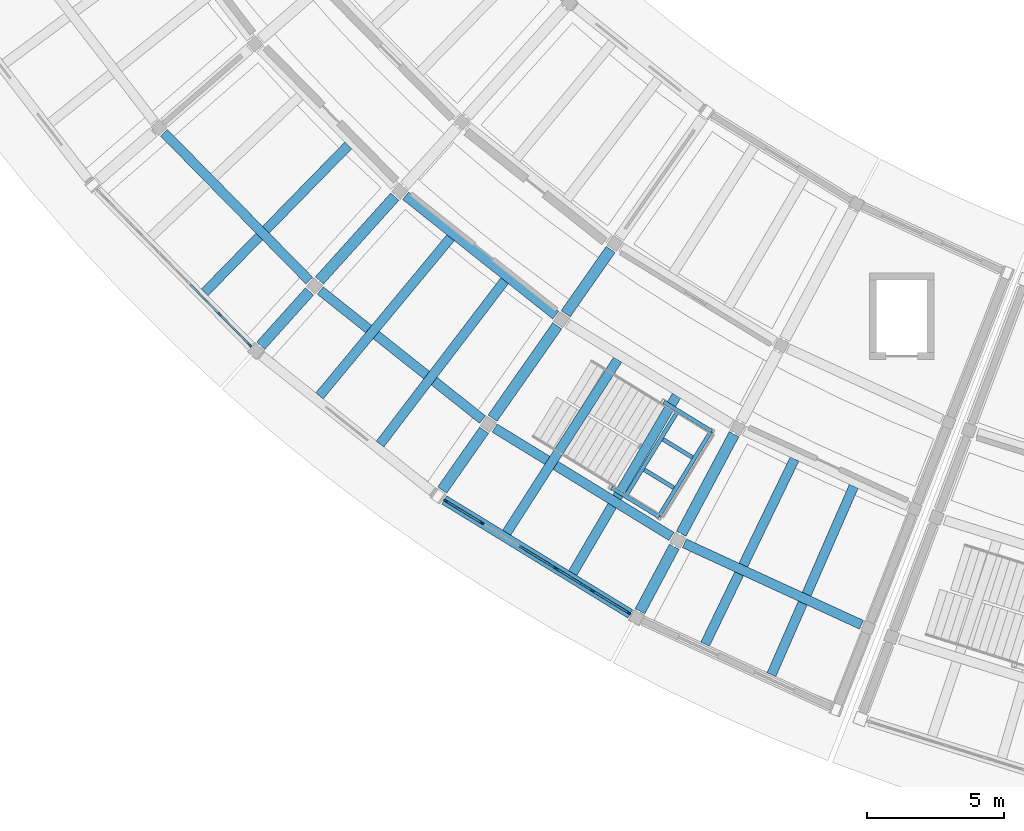
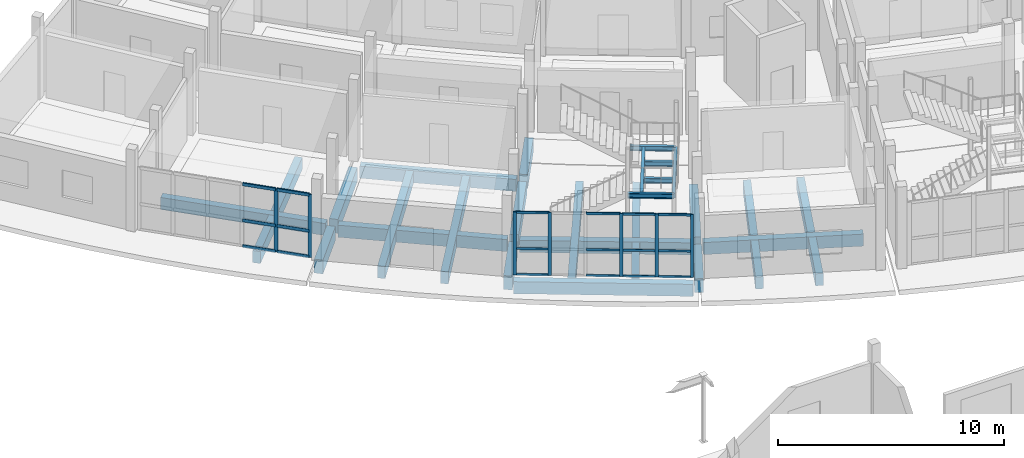
# One storey, part 27 of 92: 26 beams, 25 members, 2 elements without a shape of their own.
"""IFC4 building model written with IfcOpenShell, lengths in metres."""

from ifc_helpers import new_model, si_unit, direction, frame, origin, origin_2d, place, context, subcontext, project, spatial, rectangle, i_section, extrude, material, layer, layer_set, material_profile, profile_set, type_object, element, aggregate, save


model = new_model("IFC4")

# Units and contexts
model_context = context("Model", 3, precision=1e-05, world=origin(), true_north=direction((0.0, 1.0)))
body_context = subcontext(model_context, "Body", "Model", "MODEL_VIEW")
ifc_project = project(units=[si_unit("LENGTHUNIT", "METRE"), si_unit("AREAUNIT", "SQUARE_METRE"), si_unit("VOLUMEUNIT", "CUBIC_METRE"), si_unit("PLANEANGLEUNIT", "RADIAN"), si_unit("MASSUNIT", "GRAM", prefix="KILO")], contexts=[model_context])

# Site, building, storey
site_placement = place(None, origin())
site = spatial("IfcSite", under=ifc_project, at=site_placement, CompositionType="ELEMENT")
building_placement = place(site_placement, origin())
building = spatial("IfcBuilding", under=site, at=building_placement, Name="Caldaven Crescent School", CompositionType="ELEMENT")
storey_placement = place(building_placement, origin())
storey = spatial("IfcBuildingStorey", under=building, at=storey_placement, Name="L00", CompositionType="ELEMENT", Elevation=0.0)

# Beams
ifc_material_1 = material(Name="Concrete C30/37", Category="concrete")
ifc_material_profile_1 = material_profile(ifc_material_1, rectangle(XDim=0.35009765625, YDim=0.64990234375, at=origin_2d()), Name="RC 350x650")
ifc_profile_set_1 = profile_set([ifc_material_profile_1], Name="Concrete C30/37")
beam_type_1 = type_object("IfcBeamType", Name="BM-RC35", PredefinedType="BEAM", material=ifc_profile_set_1)
beam_1_placement = place(storey_placement, frame((38.1142578125, 52.27783203125, -0.5849609375), z_axis=(0.700912552163, -0.713247218166, 0.0), x_axis=(0.713247218166, 0.700912552163, 0.0)))
element("IfcBeam", 1, at=beam_1_placement, inside=storey, type_object=beam_type_1, Name="BMT-V4W-L00-0755", PredefinedType="BEAM", context=body_context, shape_type="SweptSolid", body=[
    extrude(rectangle(XDim=0.35009765625, YDim=0.64990234375, at=origin_2d()), origin(), (0.0, 0.0, 1.0), 7.56103515625),
])
beam_2_placement = place(storey_placement, frame((44.835693359375, 51.8173828125, -0.5849609375), z_axis=(-0.698819747585, -0.715297812373, 0.0), x_axis=(0.715297812373, -0.698819747585, 0.0)))
element("IfcBeam", 2, at=beam_2_placement, inside=storey, type_object=beam_type_1, Name="JSR-V4W-L00-0760", PredefinedType="BEAM", context=body_context, shape_type="SweptSolid", body=[
    extrude(rectangle(XDim=0.35009765625, YDim=0.64990234375, at=origin_2d()), origin(), (0.0, 0.0, 1.0), 7.496826171875),
])
beam_3_placement = place(storey_placement, frame((46.926025390625, 49.97998046875, -0.5849609375), z_axis=(0.782596029023, -0.622529883104, 0.0), x_axis=(0.622529883104, 0.782596029023, 0.0)))
element("IfcBeam", 3, at=beam_3_placement, inside=storey, type_object=beam_type_1, Name="BMT-V4W-L00-0763", PredefinedType="BEAM", context=body_context, shape_type="SweptSolid", body=[
    extrude(rectangle(XDim=0.35009765625, YDim=0.64990234375, at=origin_2d()), origin(), (0.0, 0.0, 1.0), 6.9931640625),
])
beam_4_placement = place(storey_placement, frame((43.814453125, 46.524169921875, -0.5849609375), z_axis=(0.782620359771, -0.622499295158, 0.0), x_axis=(0.622499295158, 0.782620359771, 0.0)))
element("IfcBeam", 4, at=beam_4_placement, inside=storey, type_object=beam_type_1, Name="BMT-V4W-L00-0764", PredefinedType="BEAM", context=body_context, shape_type="SweptSolid", body=[
    extrude(rectangle(XDim=0.35009765625, YDim=0.64990234375, at=origin_2d()), origin(), (0.0, 0.0, 1.0), 7.56103515625),
])
beam_5_placement = place(storey_placement, frame((48.5712890625, 48.453857421875, -0.5849609375), z_axis=(-0.638347164684, -0.769748593594, 0.0), x_axis=(0.769748593594, -0.638347164684, 0.0)))
element("IfcBeam", 5, at=beam_5_placement, inside=storey, type_object=beam_type_1, Name="JSR-V4W-L00-0767", PredefinedType="BEAM", context=body_context, shape_type="SweptSolid", body=[
    extrude(rectangle(XDim=0.35009765625, YDim=0.64990234375, at=origin_2d()), origin(), (0.0, 0.0, 1.0), 7.496826171875),
])
beam_6_placement = place(storey_placement, frame((50.5419921875, 46.886474609375, -0.5849609375), z_axis=(-0.606425795799, -0.795140084633, 0.0), x_axis=(0.795140084633, -0.606425795799, 0.0)))
element("IfcBeam", 6, at=beam_6_placement, inside=storey, type_object=beam_type_1, Name="JSR-V4W-L00-0769", PredefinedType="BEAM", context=body_context, shape_type="SweptSolid", body=[
    extrude(rectangle(XDim=0.35009765625, YDim=0.64990234375, at=origin_2d()), origin(), (0.0, 0.0, 1.0), 7.4970703125),
])
beam_7_placement = place(storey_placement, frame((50.17333984375, 41.50830078125, -0.5849609375), z_axis=(0.852643478739, -0.522493156093, 0.0), x_axis=(0.522493156093, 0.852643478739, 0.0)))
element("IfcBeam", 7, at=beam_7_placement, inside=storey, type_object=beam_type_1, Name="BMT-V4W-L00-0773", PredefinedType="BEAM", context=body_context, shape_type="SweptSolid", body=[
    extrude(rectangle(XDim=0.35009765625, YDim=0.64990234375, at=origin_2d()), origin(), (0.0, 0.0, 1.0), 7.561279296875),
])
for number, where, z_axis, x_axis, name in (
    (8, (54.65966796875, 44.003173828125, -0.5849609375), (-0.539769679184, -0.841812742499, 0.0), (0.841812742499, -0.539769679184, 0.0), "JSR-V4W-L00-0776"),
    (9, (56.806640625, 42.6875, -0.5849609375), (-0.505020652466, -0.863107259025, 0.0), (0.863107259025, -0.505020652466, 0.0), "JSR-V4W-L00-0778"),
):
    element("IfcBeam", number, at=place(storey_placement, frame(where, z_axis=z_axis, x_axis=x_axis)), inside=storey, type_object=beam_type_1, Name=name, PredefinedType="BEAM", context=body_context, shape_type="SweptSolid", body=[
        extrude(rectangle(XDim=0.35009765625, YDim=0.64990234375, at=origin_2d()), origin(), (0.0, 0.0, 1.0), 7.4970703125),
    ])
beam_8_placement = place(storey_placement, frame((57.095947265625, 37.3037109375, -0.5849609375), z_axis=(0.908521760174, -0.417837541744, 0.0), x_axis=(0.417837541744, 0.908521760174, 0.0)))
element("IfcBeam", 10, at=beam_8_placement, inside=storey, type_object=beam_type_1, Name="BMT-V4W-L00-0782", PredefinedType="BEAM", context=body_context, shape_type="SweptSolid", body=[
    extrude(rectangle(XDim=0.35009765625, YDim=0.64990234375, at=origin_2d()), origin(), (0.0, 0.0, 1.0), 7.10498046875),
])
for number, where, z_axis, x_axis, name in (
    (11, (61.112548828125, 40.37890625, -0.5849609375), (-0.43521792748, -0.900325138825, 0.0), (0.900325138825, -0.43521792748, 0.0), "JSR-V4W-L00-0784"),
    (12, (63.271484375, 39.385986328125, -0.5849609375), (-0.400260221892, -0.916401524863, 0.0), (0.916401524863, -0.400260221892, 0.0), "JSR-V4W-L00-0785"),
):
    element("IfcBeam", number, at=place(storey_placement, frame(where, z_axis=z_axis, x_axis=x_axis)), inside=storey, type_object=beam_type_1, Name=name, PredefinedType="BEAM", context=body_context, shape_type="SweptSolid", body=[
        extrude(rectangle(XDim=0.35009765625, YDim=0.64990234375, at=origin_2d()), origin(), (0.0, 0.0, 1.0), 7.498291015625),
    ])
ifc_material_2 = material(Name="Concrete C35/45", Category="concrete")
ifc_material_profile_2 = material_profile(ifc_material_2, rectangle(XDim=0.39990234375, YDim=0.75, at=origin_2d()), Name="RC 400x750")
ifc_profile_set_2 = profile_set([ifc_material_profile_2], Name="Concrete C35/45")
beam_type_2 = type_object("IfcBeamType", Name="BM-RC40", PredefinedType="BEAM", material=ifc_profile_set_2)
beam_9_placement = place(storey_placement, frame((46.533935546875, 49.947265625, -0.635009765625), z_axis=(-0.669128815296, -0.743146438153, 0.0), x_axis=(0.743146438153, -0.669128815296, 0.0)))
element("IfcBeam", 13, at=beam_9_placement, inside=storey, type_object=beam_type_2, Name="BMR-V4W-L00-0729", PredefinedType="BEAM", context=body_context, shape_type="SweptSolid", body=[
    extrude(rectangle(XDim=0.39990234375, YDim=0.75, at=origin_2d()), origin(), (0.0, 0.0, 1.0), 4.10986328125),
])
beam_10_placement = place(storey_placement, frame((43.422607421875, 46.49169921875, -0.635009765625), z_axis=(-0.669152322498, -0.743125271604, 0.0), x_axis=(0.743125271604, -0.669152322498, 0.0)))
element("IfcBeam", 14, at=beam_10_placement, inside=storey, type_object=beam_type_2, Name="BMR-V4W-L00-0730", PredefinedType="BEAM", context=body_context, shape_type="SweptSolid", body=[
    extrude(rectangle(XDim=0.39990234375, YDim=0.75, at=origin_2d()), origin(), (0.0, 0.0, 1.0), 2.66015625),
])
beam_11_placement = place(storey_placement, frame((54.405517578125, 48.022216796875, -0.635009765625), z_axis=(-0.573565464969, -0.819159726424, 0.0), x_axis=(0.819159726424, -0.573565464969, 0.0)))
element("IfcBeam", 15, at=beam_11_placement, inside=storey, type_object=beam_type_2, Name="BMR-V4W-L00-0732", PredefinedType="BEAM", context=body_context, shape_type="SweptSolid", body=[
    extrude(rectangle(XDim=0.39990234375, YDim=0.75, at=origin_2d()), origin(), (0.0, 0.0, 1.0), 2.85986328125),
])
beam_12_placement = place(storey_placement, frame((52.45556640625, 45.237060546875, -0.635009765625), z_axis=(-0.573581938808, -0.8191481914, 0.0), x_axis=(0.8191481914, -0.573581938808, 0.0)))
element("IfcBeam", 16, at=beam_12_placement, inside=storey, type_object=beam_type_2, Name="BMR-V4W-L00-0733", PredefinedType="BEAM", context=body_context, shape_type="SweptSolid", body=[
    extrude(rectangle(XDim=0.39990234375, YDim=0.75, at=origin_2d()), origin(), (0.0, 0.0, 1.0), 4.110107421875),
])
beam_13_placement = place(storey_placement, frame((49.788330078125, 41.427978515625, -0.635009765625), z_axis=(-0.573597865884, -0.81913703875, 0.0), x_axis=(0.81913703875, -0.573597865884, 0.0)))
element("IfcBeam", 17, at=beam_13_placement, inside=storey, type_object=beam_type_2, Name="BMR-V4W-L00-0734", PredefinedType="BEAM", context=body_context, shape_type="SweptSolid", body=[
    extrude(rectangle(XDim=0.39990234375, YDim=0.75, at=origin_2d()), origin(), (0.0, 0.0, 1.0), 2.65966796875),
])
beam_14_placement = place(storey_placement, frame((58.90673828125, 41.28369140625, -0.635009765625), z_axis=(-0.469456327147, -0.882955693623, 0.0), x_axis=(0.882955693623, -0.469456327147, 0.0)))
element("IfcBeam", 18, at=beam_14_placement, inside=storey, type_object=beam_type_2, Name="BMR-V4W-L00-0737", PredefinedType="BEAM", context=body_context, shape_type="SweptSolid", body=[
    extrude(rectangle(XDim=0.39990234375, YDim=0.75, at=origin_2d()), origin(), (0.0, 0.0, 1.0), 4.10986328125),
])
beam_15_placement = place(storey_placement, frame((56.723876953125, 37.177978515625, -0.635009765625), z_axis=(-0.469468362012, -0.882949294733, 0.0), x_axis=(0.882949294733, -0.469468362012, 0.0)))
element("IfcBeam", 19, at=beam_15_placement, inside=storey, type_object=beam_type_2, Name="BMR-V4W-L00-0738", PredefinedType="BEAM", context=body_context, shape_type="SweptSolid", body=[
    extrude(rectangle(XDim=0.39990234375, YDim=0.75, at=origin_2d()), origin(), (0.0, 0.0, 1.0), 2.659912109375),
])
ifc_material_3 = material(Name="Steel ASTM A572 Grade 50", Category="steel")
ifc_material_profile_3 = material_profile(ifc_material_3, i_section(OverallWidth=0.14599609375, OverallDepth=0.258056640625, WebThickness=0.006103515625, FlangeThickness=0.009033203125, FilletRadius=0.011962890625, at=origin_2d()), Name="W250x33")
ifc_profile_set_3 = profile_set([ifc_material_profile_3], Name="Steel ASTM A572 Grade 50")
beam_type_3 = type_object("IfcBeamType", Name="BM-W25", PredefinedType="BEAM", material=ifc_profile_set_3)
for number, where, z_axis, x_axis, name in (
    (20, (54.428955078125, 39.341552734375, 1.885986328125), (0.85267484111, -0.522441973177, 0.0), (0.522441973177, 0.85267484111, 0.0), "BM-STSIDE-ST1-L00-SL"),
    (21, (56.34130859375, 42.462158203125, 1.885986328125), (0.85267484111, -0.522441973177, 0.0), (0.522441973177, 0.85267484111, 0.0), "BM-STSIDE-ST1-L00-SR"),
):
    element("IfcBeam", number, at=place(storey_placement, frame(where, z_axis=z_axis, x_axis=x_axis)), inside=storey, type_object=beam_type_3, Name=name, PredefinedType="BEAM", context=body_context, shape_type="SweptSolid", body=[
        extrude(i_section(OverallWidth=0.14599609375, OverallDepth=0.258056640625, WebThickness=0.006103515625, FlangeThickness=0.009033203125, FilletRadius=0.011962890625, at=origin_2d()), origin(), (0.0, 0.0, 1.0), 2.050048828125),
    ])
for number, where, z_axis, x_axis, name in (
    (22, (54.94921875, 39.02294921875, 1.885986328125), (0.522507309575, 0.852634805436, 0.0), (-0.852634805436, 0.522507309575, 0.0), "BM-STLND-ST1-L00-IN"),
    (23, (56.159912109375, 38.281005859375, 1.885986328125), (0.522507309575, 0.852634805436, 0.0), (-0.852634805436, 0.522507309575, 0.0), "BM-STLND-ST1-L00-OUT"),
):
    element("IfcBeam", number, at=place(storey_placement, frame(where, z_axis=z_axis, x_axis=x_axis)), inside=storey, type_object=beam_type_3, Name=name, PredefinedType="BEAM", context=body_context, shape_type="SweptSolid", body=[
        extrude(i_section(OverallWidth=0.14599609375, OverallDepth=0.258056640625, WebThickness=0.006103515625, FlangeThickness=0.009033203125, FilletRadius=0.011962890625, at=origin_2d()), origin(), (0.0, 0.0, 1.0), 3.659912109375),
    ])

# Curtain wall, members
ifc_material_4 = material(Name="Anodised aluminium AA 6063-T6 and low-E double glazing", Category="aluminium")
ifc_layer_1 = layer(ifc_material_4, 0.2099609375)
ifc_layer_set_1 = layer_set([ifc_layer_1], Name="Anodised aluminium AA 6063-T6 and low-E double glazing")
curtain_wall_type_1 = type_object("IfcCurtainWallType", Name="CW-SYS3", PredefinedType="NOTDEFINED", material=ifc_layer_set_1)
curtain_wall_1_placement = place(storey_placement, origin())
curtain_wall_1 = element("IfcCurtainWall", 24, at=curtain_wall_1_placement, inside=storey, type_object=curtain_wall_type_1, Name="CW-L00-106", PredefinedType="NOTDEFINED")
ifc_material_5 = material(Name="Anodised aluminium AA 6063-T6", Category="aluminium")
ifc_material_profile_4 = material_profile(ifc_material_5, rectangle(XDim=0.06005859375, YDim=0.14990234375, at=origin_2d()), Name="CWM 60x150")
ifc_profile_set_4 = profile_set([ifc_material_profile_4], Name="Anodised aluminium AA 6063-T6")
member_type_1 = type_object("IfcMemberType", Name="CWM-T1", PredefinedType="MULLION", material=ifc_profile_set_4)
member_1_placement = place(storey_placement, frame((48.38916015625, 38.85546875, 0.0), z_axis=(0.0, 0.0, 1.0), x_axis=(0.522499361435, 0.852639676124, 0.0)))
member_1 = element("IfcMember", 25, at=member_1_placement, type_object=member_type_1, Name="CW3 mullion 1", PredefinedType="MULLION", context=body_context, shape_type="SweptSolid", body=[
    extrude(rectangle(XDim=0.06005859375, YDim=0.14990234375, at=origin_2d()), origin(), (0.0, 0.0, 1.0), 3.39990234375),
])
member_2_placement = place(storey_placement, frame((49.709228515625, 38.046630859375, 0.0), z_axis=(0.0, 0.0, 1.0), x_axis=(0.522499361435, 0.852639676124, 0.0)))
member_2 = element("IfcMember", 26, at=member_2_placement, type_object=member_type_1, Name="CW3 mullion 2", PredefinedType="MULLION", context=body_context, shape_type="SweptSolid", body=[
    extrude(rectangle(XDim=0.06005859375, YDim=0.14990234375, at=origin_2d()), origin(), (0.0, 0.0, 1.0), 3.39990234375),
])
member_3_placement = place(storey_placement, frame((52.40087890625, 36.397216796875, 0.0), z_axis=(0.0, 0.0, 1.0), x_axis=(0.522499361435, 0.852639676124, 0.0)))
member_3 = element("IfcMember", 27, at=member_3_placement, type_object=member_type_1, Name="CW3 mullion 4", PredefinedType="MULLION", context=body_context, shape_type="SweptSolid", body=[
    extrude(rectangle(XDim=0.06005859375, YDim=0.14990234375, at=origin_2d()), origin(), (0.0, 0.0, 1.0), 3.39990234375),
])
member_4_placement = place(storey_placement, frame((53.74658203125, 35.572509765625, 0.0), z_axis=(0.0, 0.0, 1.0), x_axis=(0.522499361435, 0.852639676124, 0.0)))
member_4 = element("IfcMember", 28, at=member_4_placement, type_object=member_type_1, Name="CW3 mullion 5", PredefinedType="MULLION", context=body_context, shape_type="SweptSolid", body=[
    extrude(rectangle(XDim=0.06005859375, YDim=0.14990234375, at=origin_2d()), origin(), (0.0, 0.0, 1.0), 3.39990234375),
])
member_5_placement = place(storey_placement, frame((55.06689453125, 34.763427734375, 0.0), z_axis=(0.0, 0.0, 1.0), x_axis=(0.522499361435, 0.852639676124, 0.0)))
member_5 = element("IfcMember", 29, at=member_5_placement, type_object=member_type_1, Name="CW3 mullion 6", PredefinedType="MULLION", context=body_context, shape_type="SweptSolid", body=[
    extrude(rectangle(XDim=0.06005859375, YDim=0.14990234375, at=origin_2d()), origin(), (0.0, 0.0, 1.0), 3.39990234375),
])

ifc_layer_2 = layer(ifc_material_4, 0.169921875)
ifc_layer_set_2 = layer_set([ifc_layer_2], Name="Anodised aluminium AA 6063-T6 and low-E double glazing")
curtain_wall_type_2 = type_object("IfcCurtainWallType", Name="CW-SYS1", PredefinedType="NOTDEFINED", material=ifc_layer_set_2)
curtain_wall_2_placement = place(storey_placement, origin())
curtain_wall_2 = element("IfcCurtainWall", 30, at=curtain_wall_2_placement, inside=storey, type_object=curtain_wall_type_2, Name="CW-L00-105", PredefinedType="NOTDEFINED")
ifc_material_profile_5 = material_profile(ifc_material_5, rectangle(XDim=0.06494140625, YDim=0.179931640625, at=origin_2d()), Name="CWM 65x180")
ifc_profile_set_5 = profile_set([ifc_material_profile_5], Name="Anodised aluminium AA 6063-T6")
member_type_2 = type_object("IfcMemberType", Name="CWM-T2", PredefinedType="MULLION", material=ifc_profile_set_5)
member_6_placement = place(storey_placement, frame((40.1455078125, 45.654052734375, 0.0), z_axis=(0.0, 0.0, 1.0), x_axis=(0.713250774972, 0.700908932745, 0.0)))
member_6 = element("IfcMember", 31, at=member_6_placement, type_object=member_type_2, Name="CW1 mullion 5", PredefinedType="MULLION", context=body_context, shape_type="SweptSolid", body=[
    extrude(rectangle(XDim=0.06494140625, YDim=0.179931640625, at=origin_2d()), origin(), (0.0, 0.0, 1.0), 3.39990234375),
])
member_7_placement = place(storey_placement, frame((41.22900390625, 44.551513671875, 0.0), z_axis=(0.0, 0.0, 1.0), x_axis=(0.713250774972, 0.700908932745, 0.0)))
member_7 = element("IfcMember", 32, at=member_7_placement, type_object=member_type_2, Name="CW1 mullion 6", PredefinedType="MULLION", context=body_context, shape_type="SweptSolid", body=[
    extrude(rectangle(XDim=0.06494140625, YDim=0.179931640625, at=origin_2d()), origin(), (0.0, 0.0, 1.0), 3.39990234375),
])

# Member
ifc_material_profile_6 = material_profile(ifc_material_5, rectangle(XDim=0.06005859375, YDim=0.1201171875, at=origin_2d()), Name="CWT 60x120")
ifc_profile_set_6 = profile_set([ifc_material_profile_6], Name="Anodised aluminium AA 6063-T6")
member_type_3 = type_object("IfcMemberType", Name="CWT-T1", PredefinedType="USERDEFINED", material=ifc_profile_set_6)
member_8_placement = place(storey_placement, frame((48.414794921875, 38.83984375, 0.030029296875), z_axis=(0.852664900426, -0.522458196971, 0.0), x_axis=(0.522458196971, 0.852664900426, 0.0)))
member_8 = element("IfcMember", 33, at=member_8_placement, type_object=member_type_3, Name="CW3 transom 1.1", ObjectType="TRANSOM", PredefinedType="USERDEFINED", context=body_context, shape_type="SweptSolid", body=[
    extrude(rectangle(XDim=0.06005859375, YDim=0.1201171875, at=origin_2d()), origin(), (0.0, 0.0, 1.0), 1.48828125),
])

member_9_placement = place(storey_placement, frame((48.414794921875, 38.83984375, 1.427978515625), z_axis=(0.852664900426, -0.522458196971, 0.0), x_axis=(0.522458196971, 0.852664900426, 0.0)))
member_9 = element("IfcMember", 34, at=member_9_placement, type_object=member_type_3, Name="CW3 transom 1.2", ObjectType="TRANSOM", PredefinedType="USERDEFINED", context=body_context, shape_type="SweptSolid", body=[
    extrude(rectangle(XDim=0.06005859375, YDim=0.1201171875, at=origin_2d()), origin(), (0.0, 0.0, 1.0), 1.48828125),
])

member_10_placement = place(storey_placement, frame((48.414794921875, 38.83984375, 3.3701171875), z_axis=(0.852664900426, -0.522458196971, 0.0), x_axis=(0.522458196971, 0.852664900426, 0.0)))
member_10 = element("IfcMember", 35, at=member_10_placement, type_object=member_type_3, Name="CW3 transom 1.3", ObjectType="TRANSOM", PredefinedType="USERDEFINED", context=body_context, shape_type="SweptSolid", body=[
    extrude(rectangle(XDim=0.06005859375, YDim=0.1201171875, at=origin_2d()), origin(), (0.0, 0.0, 1.0), 1.48828125),
])

member_11_placement = place(storey_placement, frame((51.080810546875, 37.2060546875, 0.030029296875), z_axis=(0.852645163538, -0.522490406702, 0.0), x_axis=(0.522490406702, 0.852645163538, 0.0)))
member_11 = element("IfcMember", 36, at=member_11_placement, type_object=member_type_3, Name="CW3 transom 3.1", ObjectType="TRANSOM", PredefinedType="USERDEFINED", context=body_context, shape_type="SweptSolid", body=[
    extrude(rectangle(XDim=0.06005859375, YDim=0.1201171875, at=origin_2d()), origin(), (0.0, 0.0, 1.0), 1.51806640625),
])

member_12_placement = place(storey_placement, frame((51.080810546875, 37.2060546875, 1.427978515625), z_axis=(0.852645163538, -0.522490406702, 0.0), x_axis=(0.522490406702, 0.852645163538, 0.0)))
member_12 = element("IfcMember", 37, at=member_12_placement, type_object=member_type_3, Name="CW3 transom 3.2", ObjectType="TRANSOM", PredefinedType="USERDEFINED", context=body_context, shape_type="SweptSolid", body=[
    extrude(rectangle(XDim=0.06005859375, YDim=0.1201171875, at=origin_2d()), origin(), (0.0, 0.0, 1.0), 1.51806640625),
])

member_13_placement = place(storey_placement, frame((51.080810546875, 37.2060546875, 3.3701171875), z_axis=(0.852645163538, -0.522490406702, 0.0), x_axis=(0.522490406702, 0.852645163538, 0.0)))
member_13 = element("IfcMember", 38, at=member_13_placement, type_object=member_type_3, Name="CW3 transom 3.3", ObjectType="TRANSOM", PredefinedType="USERDEFINED", context=body_context, shape_type="SweptSolid", body=[
    extrude(rectangle(XDim=0.06005859375, YDim=0.1201171875, at=origin_2d()), origin(), (0.0, 0.0, 1.0), 1.51806640625),
])

member_14_placement = place(storey_placement, frame((52.426513671875, 36.38134765625, 0.030029296875), z_axis=(0.852689056605, -0.522418771433, 0.0), x_axis=(0.522418771433, 0.852689056605, 0.0)))
member_14 = element("IfcMember", 39, at=member_14_placement, type_object=member_type_3, Name="CW3 transom 4.1", ObjectType="TRANSOM", PredefinedType="USERDEFINED", context=body_context, shape_type="SweptSolid", body=[
    extrude(rectangle(XDim=0.06005859375, YDim=0.1201171875, at=origin_2d()), origin(), (0.0, 0.0, 1.0), 1.518310546875),
])

member_15_placement = place(storey_placement, frame((52.426513671875, 36.38134765625, 1.427978515625), z_axis=(0.852689056605, -0.522418771433, 0.0), x_axis=(0.522418771433, 0.852689056605, 0.0)))
member_15 = element("IfcMember", 40, at=member_15_placement, type_object=member_type_3, Name="CW3 transom 4.2", ObjectType="TRANSOM", PredefinedType="USERDEFINED", context=body_context, shape_type="SweptSolid", body=[
    extrude(rectangle(XDim=0.06005859375, YDim=0.1201171875, at=origin_2d()), origin(), (0.0, 0.0, 1.0), 1.518310546875),
])

member_16_placement = place(storey_placement, frame((52.426513671875, 36.38134765625, 3.3701171875), z_axis=(0.852689056605, -0.522418771433, 0.0), x_axis=(0.522418771433, 0.852689056605, 0.0)))
member_16 = element("IfcMember", 41, at=member_16_placement, type_object=member_type_3, Name="CW3 transom 4.3", ObjectType="TRANSOM", PredefinedType="USERDEFINED", context=body_context, shape_type="SweptSolid", body=[
    extrude(rectangle(XDim=0.06005859375, YDim=0.1201171875, at=origin_2d()), origin(), (0.0, 0.0, 1.0), 1.518310546875),
])

member_17_placement = place(storey_placement, frame((53.772216796875, 35.556884765625, 0.030029296875), z_axis=(0.852591822808, -0.52257744276, 0.0), x_axis=(0.52257744276, 0.852591822808, 0.0)))
member_17 = element("IfcMember", 42, at=member_17_placement, type_object=member_type_3, Name="CW3 transom 5.1", ObjectType="TRANSOM", PredefinedType="USERDEFINED", context=body_context, shape_type="SweptSolid", body=[
    extrude(rectangle(XDim=0.06005859375, YDim=0.1201171875, at=origin_2d()), origin(), (0.0, 0.0, 1.0), 1.488525390625),
])

member_18_placement = place(storey_placement, frame((53.772216796875, 35.556884765625, 1.427978515625), z_axis=(0.852591822808, -0.52257744276, 0.0), x_axis=(0.52257744276, 0.852591822808, 0.0)))
member_18 = element("IfcMember", 43, at=member_18_placement, type_object=member_type_3, Name="CW3 transom 5.2", ObjectType="TRANSOM", PredefinedType="USERDEFINED", context=body_context, shape_type="SweptSolid", body=[
    extrude(rectangle(XDim=0.06005859375, YDim=0.1201171875, at=origin_2d()), origin(), (0.0, 0.0, 1.0), 1.488525390625),
])

member_19_placement = place(storey_placement, frame((53.772216796875, 35.556884765625, 3.3701171875), z_axis=(0.852591822808, -0.52257744276, 0.0), x_axis=(0.52257744276, 0.852591822808, 0.0)))
member_19 = element("IfcMember", 44, at=member_19_placement, type_object=member_type_3, Name="CW3 transom 5.3", ObjectType="TRANSOM", PredefinedType="USERDEFINED", context=body_context, shape_type="SweptSolid", body=[
    extrude(rectangle(XDim=0.06005859375, YDim=0.1201171875, at=origin_2d()), origin(), (0.0, 0.0, 1.0), 1.488525390625),
])

aggregate(curtain_wall_1, [member_1, member_2, member_3, member_4, member_5, member_8, member_9, member_10, member_11, member_12, member_13, member_14, member_15, member_16, member_17, member_18, member_19])

ifc_material_profile_7 = material_profile(ifc_material_5, rectangle(XDim=0.070068359375, YDim=0.159912109375, at=origin_2d()), Name="CWT 70x160")
ifc_profile_set_7 = profile_set([ifc_material_profile_7], Name="Anodised aluminium AA 6063-T6")
member_type_4 = type_object("IfcMemberType", Name="CWT-T3", PredefinedType="USERDEFINED", material=ifc_profile_set_7)
member_20_placement = place(storey_placement, frame((39.061767578125, 46.756591796875, 0.034912109375), z_axis=(0.700949920328, -0.713210494309, 0.0), x_axis=(0.713210494309, 0.700949920328, 0.0)))
member_20 = element("IfcMember", 45, at=member_20_placement, type_object=member_type_4, Name="CW1 transom 4.1", ObjectType="TRANSOM", PredefinedType="USERDEFINED", context=body_context, shape_type="SweptSolid", body=[
    extrude(rectangle(XDim=0.070068359375, YDim=0.159912109375, at=origin_2d()), origin(), (0.0, 0.0, 1.0), 1.513427734375),
])

member_21_placement = place(storey_placement, frame((39.061767578125, 46.756591796875, 1.427978515625), z_axis=(0.700949920328, -0.713210494309, 0.0), x_axis=(0.713210494309, 0.700949920328, 0.0)))
member_21 = element("IfcMember", 46, at=member_21_placement, type_object=member_type_4, Name="CW1 transom 4.2", ObjectType="TRANSOM", PredefinedType="USERDEFINED", context=body_context, shape_type="SweptSolid", body=[
    extrude(rectangle(XDim=0.070068359375, YDim=0.159912109375, at=origin_2d()), origin(), (0.0, 0.0, 1.0), 1.513427734375),
])

member_22_placement = place(storey_placement, frame((39.061767578125, 46.756591796875, 3.364990234375), z_axis=(0.700949920328, -0.713210494309, 0.0), x_axis=(0.713210494309, 0.700949920328, 0.0)))
member_22 = element("IfcMember", 47, at=member_22_placement, type_object=member_type_4, Name="CW1 transom 4.3", ObjectType="TRANSOM", PredefinedType="USERDEFINED", context=body_context, shape_type="SweptSolid", body=[
    extrude(rectangle(XDim=0.070068359375, YDim=0.159912109375, at=origin_2d()), origin(), (0.0, 0.0, 1.0), 1.513427734375),
])

member_23_placement = place(storey_placement, frame((40.168212890625, 45.630859375, 0.034912109375), z_axis=(0.700896820061, -0.71326267786, 0.0), x_axis=(0.71326267786, 0.700896820061, 0.0)))
member_23 = element("IfcMember", 48, at=member_23_placement, type_object=member_type_4, Name="CW1 transom 5.1", ObjectType="TRANSOM", PredefinedType="USERDEFINED", context=body_context, shape_type="SweptSolid", body=[
    extrude(rectangle(XDim=0.070068359375, YDim=0.159912109375, at=origin_2d()), origin(), (0.0, 0.0, 1.0), 1.480712890625),
])

member_24_placement = place(storey_placement, frame((40.168212890625, 45.630859375, 1.427978515625), z_axis=(0.700896820061, -0.71326267786, 0.0), x_axis=(0.71326267786, 0.700896820061, 0.0)))
member_24 = element("IfcMember", 49, at=member_24_placement, type_object=member_type_4, Name="CW1 transom 5.2", ObjectType="TRANSOM", PredefinedType="USERDEFINED", context=body_context, shape_type="SweptSolid", body=[
    extrude(rectangle(XDim=0.070068359375, YDim=0.159912109375, at=origin_2d()), origin(), (0.0, 0.0, 1.0), 1.480712890625),
])

member_25_placement = place(storey_placement, frame((40.168212890625, 45.630859375, 3.364990234375), z_axis=(0.700896820061, -0.71326267786, 0.0), x_axis=(0.71326267786, 0.700896820061, 0.0)))
member_25 = element("IfcMember", 50, at=member_25_placement, type_object=member_type_4, Name="CW1 transom 5.3", ObjectType="TRANSOM", PredefinedType="USERDEFINED", context=body_context, shape_type="SweptSolid", body=[
    extrude(rectangle(XDim=0.070068359375, YDim=0.159912109375, at=origin_2d()), origin(), (0.0, 0.0, 1.0), 1.480712890625),
])

aggregate(curtain_wall_2, [member_6, member_7, member_20, member_21, member_22, member_23, member_24, member_25])

# Beams
ifc_material_profile_8 = material_profile(ifc_material_3, i_section(OverallWidth=0.14599609375, OverallDepth=0.258056640625, WebThickness=0.006103515625, FlangeThickness=0.009033203125, FilletRadius=0.011962890625, at=origin_2d()), Name="W250x33")
ifc_profile_set_8 = profile_set([ifc_material_profile_8], Name="Steel ASTM A572 Grade 50")
beam_type_4 = type_object("IfcBeamType", Name="LN-W25", PredefinedType="LINTEL", material=ifc_profile_set_8)
for number, where, z_axis, x_axis, name in (
    (51, (55.634033203125, 39.9873046875, 1.885986328125), (0.852581757702, -0.522593863755, 0.0), (0.522593863755, 0.852581757702, 0.0), "BM-STJST-ST1-L00-JL"),
    (52, (56.313232421875, 41.095703125, 1.885986328125), (0.852581757702, -0.522593863755, 0.0), (0.522593863755, 0.852581757702, 0.0), "BM-STJST-ST1-L00-JR"),
):
    element("IfcBeam", number, at=place(storey_placement, frame(where, z_axis=z_axis, x_axis=x_axis)), inside=storey, type_object=beam_type_4, Name=name, PredefinedType="LINTEL", context=body_context, shape_type="SweptSolid", body=[
        extrude(i_section(OverallWidth=0.14599609375, OverallDepth=0.258056640625, WebThickness=0.006103515625, FlangeThickness=0.009033203125, FilletRadius=0.011962890625, at=origin_2d()), origin(), (0.0, 0.0, 1.0), 1.260009765625),
    ])
ifc_material_profile_9 = material_profile(ifc_material_1, rectangle(XDim=0.35009765625, YDim=0.64990234375, at=origin_2d()), Name="RC 350x650")
ifc_profile_set_9 = profile_set([ifc_material_profile_9], Name="Concrete C30/37")
beam_type_5 = type_object("IfcBeamType", Name="SP-RC35", PredefinedType="SPANDREL", material=ifc_profile_set_9)
beam_16_placement = place(storey_placement, frame((48.337890625, 38.886962890625, -0.5849609375), z_axis=(0.852641404784, -0.522496540514, 0.0), x_axis=(0.522496540514, 0.852641404784, 0.0)))
element("IfcBeam", 53, at=beam_16_placement, inside=storey, type_object=beam_type_5, Name="BMT-V4W-L00-0774", PredefinedType="SPANDREL", context=body_context, shape_type="SweptSolid", body=[
    extrude(rectangle(XDim=0.35009765625, YDim=0.64990234375, at=origin_2d()), origin(), (0.0, 0.0, 1.0), 7.951904296875),
])

save(model, "model.ifc")
